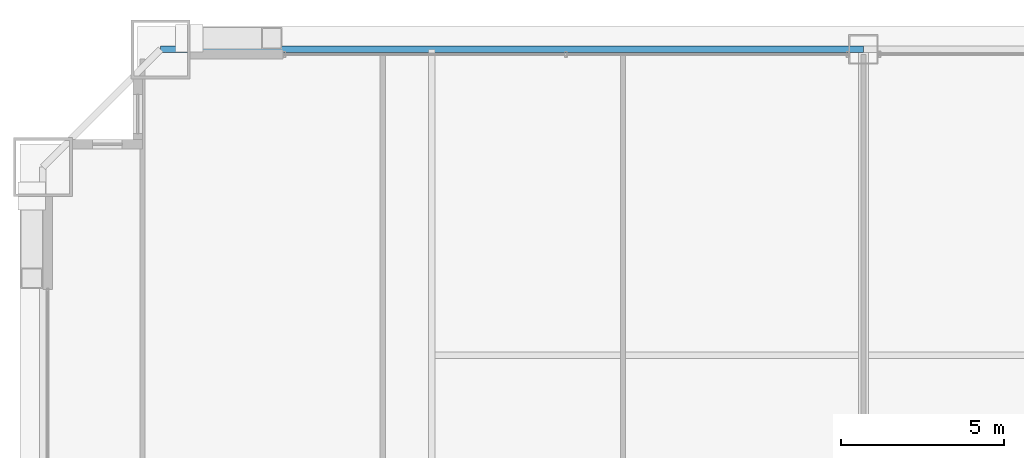
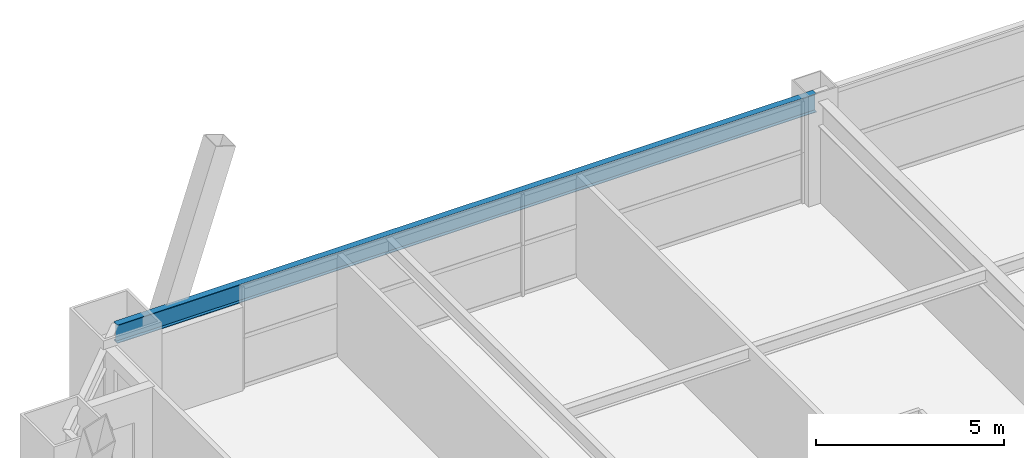
# One storey, part 27 of 43: 1 beam.
"""IFC4 building model written with IfcOpenShell, lengths in metres."""

from ifc_helpers import new_model, si_unit, direction, frame, origin, origin_2d, place, context, subcontext, project, spatial, i_section, extrude, source, transform, mapped, material, material_profile, profile_set, type_object, element, save


model = new_model("IFC4")

# Units and contexts
model_context = context("Model", 3, precision=1e-05, world=origin(), true_north=direction((0.0, 1.0)))
body_context = subcontext(model_context, "Body", "Model", "MODEL_VIEW")
ifc_project = project(units=[si_unit("LENGTHUNIT", "METRE"), si_unit("AREAUNIT", "SQUARE_METRE"), si_unit("VOLUMEUNIT", "CUBIC_METRE"), si_unit("PLANEANGLEUNIT", "RADIAN"), si_unit("MASSUNIT", "GRAM", prefix="KILO"), si_unit("THERMODYNAMICTEMPERATUREUNIT", "KELVIN"), si_unit("POWERUNIT", "WATT")], contexts=[model_context])

# Site, building, storey
site_placement = place(None, origin())
site = spatial("IfcSite", under=ifc_project, at=site_placement, CompositionType="ELEMENT")
building_placement = place(site_placement, origin())
building = spatial("IfcBuilding", under=site, at=building_placement, Name="Yuzanri Waterfront Tower", CompositionType="ELEMENT")
storey_placement = place(building_placement, frame((0.0, 0.0, 37.800048828125)))
storey = spatial("IfcBuildingStorey", under=building, at=storey_placement, Name="L09", CompositionType="ELEMENT", Elevation=37.800048828125)

# Beam
ifc_material = material(Name="Steel Q355B", Category="steel")
ifc_material_profile = material_profile(ifc_material, i_section(OverallWidth=0.199951171875, OverallDepth=0.60009765625, WebThickness=0.010986328125, FlangeThickness=0.01708984375, at=origin_2d()), Name="HN 600x200x11x17")
ifc_profile_set = profile_set([ifc_material_profile], Name="Steel Q355B")
beam_type = type_object("IfcBeamType", Name="Perimeter Spandrel Q355B HN 600x200", PredefinedType="SPANDREL", material=ifc_profile_set)
shared_shape = source(origin(), body_context, "Body", "SweptSolid", [
    extrude(i_section(OverallWidth=0.199951171875, OverallDepth=0.60009765625, WebThickness=0.010986328125, FlangeThickness=0.01708984375, at=origin_2d()), origin(), (0.0, 0.0, 1.0), 21.5),
])
beam_placement = place(storey_placement, frame((37.0, 50.89990234375, 3.02001953125), z_axis=(-1.0, 0.0, 0.0), x_axis=(0.0, -1.0, 0.0)))
element("IfcBeam", 1, at=beam_placement, inside=storey, type_object=beam_type, Name="L09 Perimeter Spandrel N2-N1", PredefinedType="SPANDREL", context=body_context, shape_type="MappedRepresentation", body=[
    mapped(shared_shape, transform((0.0, 0.0, 0.0), scale=1.0)),
])

save(model, "model.ifc")
